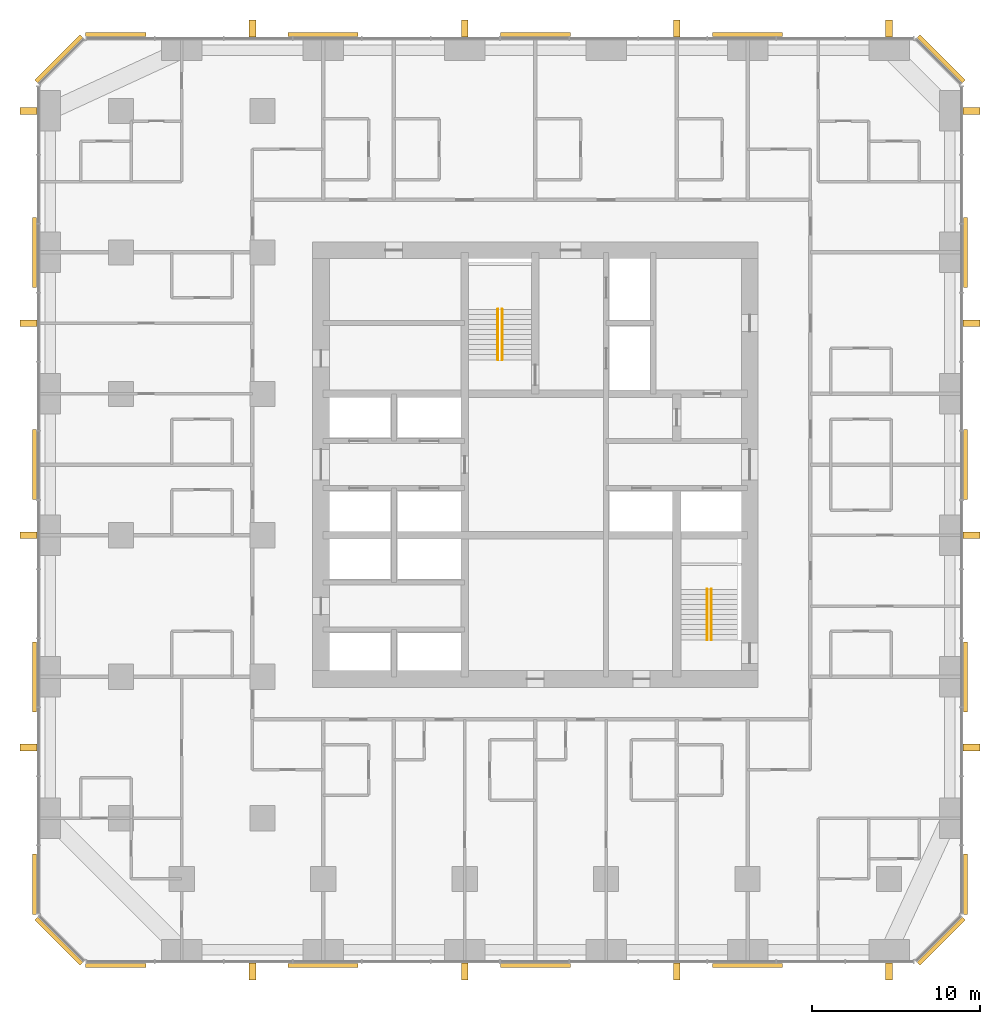
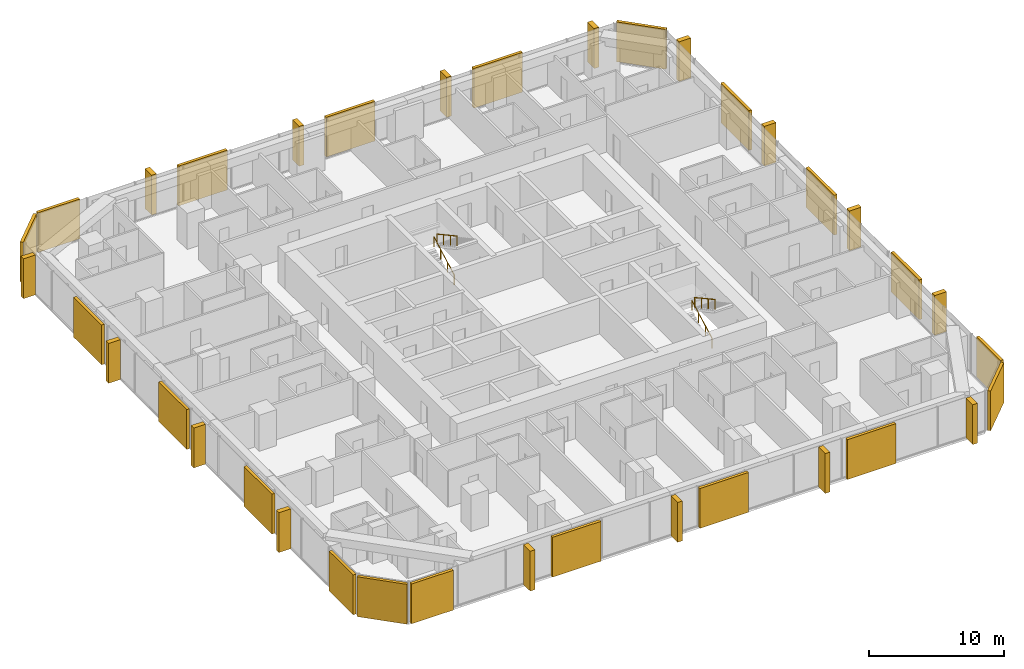
# One storey, part 14 of 14: 20 coverings, 16 shading devices, 4 railings.
"""IFC4 building model written with IfcOpenShell, lengths in metres."""

from ifc_helpers import new_model, si_unit, direction, frame, origin, origin_2d, place, context, subcontext, project, spatial, rectangle, circle, extrude, material, layer, layer_set, type_object, element, save


model = new_model("IFC4")

# Units and contexts
model_context = context("Model", 3, precision=1e-05, world=origin(), true_north=direction((0.0, 1.0)))
body_context = subcontext(model_context, "Body", "Model", "MODEL_VIEW")
ifc_project = project(units=[si_unit("LENGTHUNIT", "METRE"), si_unit("AREAUNIT", "SQUARE_METRE"), si_unit("VOLUMEUNIT", "CUBIC_METRE"), si_unit("PLANEANGLEUNIT", "RADIAN"), si_unit("MASSUNIT", "GRAM", prefix="KILO")], contexts=[model_context])

# Site, building, storey
site_placement = place(None, origin())
site = spatial("IfcSite", under=ifc_project, at=site_placement, CompositionType="ELEMENT")
building_placement = place(site_placement, origin())
building = spatial("IfcBuilding", under=site, at=building_placement, Name="Dunama Terrace Hotel", CompositionType="ELEMENT")
storey_placement = place(building_placement, frame((0.0, 0.0, 133.199951171875)))
storey = spatial("IfcBuildingStorey", under=building, at=storey_placement, Name="L34", CompositionType="ELEMENT", Elevation=133.199951171875)

# Railings
ifc_material_1 = material(Name="Stainless steel handrail", Category="steel")
railing_type = type_object("IfcRailingType", Name="Stair handrail 900", PredefinedType="HANDRAIL", material=ifc_material_1)
railing_1_placement = place(storey_placement, frame((27.175048828125, 35.625, 0.16357421875)))
element("IfcRailing", 1, at=railing_1_placement, inside=storey, type_object=railing_type, Name="Handrail ST1 L34", PredefinedType="HANDRAIL", context=body_context, shape_type="SweptSolid", body=[
    extrude(circle(Radius=0.02392578125, at=origin_2d()), frame((0.0, 0.0, 0.8759765625), z_axis=(0.0, 0.877881921179, 0.478877158013), x_axis=(-1.0, 0.0, 0.0)), (0.0, 0.0, 1.0), 3.417236328125),
    extrude(circle(Radius=0.02099609375, at=origin_2d()), origin(), (0.0, 0.0, 1.0), 0.851806640625),
    extrude(circle(Radius=0.02099609375, at=origin_2d()), frame((0.0, 1.0, 0.54541015625)), (0.0, 0.0, 1.0), 0.851806640625),
    extrude(circle(Radius=0.02099609375, at=origin_2d()), frame((0.0, 2.0, 1.091064453125)), (0.0, 0.0, 1.0), 0.851806640625),
    extrude(circle(Radius=0.02099609375, at=origin_2d()), frame((0.0, 3.0, 1.636474609375)), (0.0, 0.0, 1.0), 0.851806640625),
])
railing_2_placement = place(storey_placement, frame((27.425048828125, 38.625, 1.963623046875)))
element("IfcRailing", 2, at=railing_2_placement, inside=storey, type_object=railing_type, Name="Handrail ST1 L34", PredefinedType="HANDRAIL", context=body_context, shape_type="SweptSolid", body=[
    extrude(circle(Radius=0.02392578125, at=origin_2d()), frame((0.0, 0.0, 0.8759765625), z_axis=(0.0, -0.877881921179, 0.478877158013), x_axis=(1.0, 0.0, 0.0)), (0.0, 0.0, 1.0), 3.417236328125),
    extrude(circle(Radius=0.02099609375, at=origin_2d()), origin(), (0.0, 0.0, 1.0), 0.851806640625),
    extrude(circle(Radius=0.02099609375, at=origin_2d()), frame((0.0, -1.0, 0.54541015625)), (0.0, 0.0, 1.0), 0.851806640625),
    extrude(circle(Radius=0.02099609375, at=origin_2d()), frame((0.0, -2.0, 1.091064453125)), (0.0, 0.0, 1.0), 0.851806640625),
    extrude(circle(Radius=0.02099609375, at=origin_2d()), frame((0.0, -3.0, 1.636474609375)), (0.0, 0.0, 1.0), 0.851806640625),
])
railing_3_placement = place(storey_placement, frame((39.60009765625, 19.0, 0.16357421875)))
element("IfcRailing", 3, at=railing_3_placement, inside=storey, type_object=railing_type, Name="Handrail ST2 L34", PredefinedType="HANDRAIL", context=body_context, shape_type="SweptSolid", body=[
    extrude(circle(Radius=0.02392578125, at=origin_2d()), frame((0.0, 0.0, 0.8759765625), z_axis=(0.0, 0.877881921179, 0.478877158013), x_axis=(-1.0, 0.0, 0.0)), (0.0, 0.0, 1.0), 3.417236328125),
    extrude(circle(Radius=0.02099609375, at=origin_2d()), origin(), (0.0, 0.0, 1.0), 0.851806640625),
    extrude(circle(Radius=0.02099609375, at=origin_2d()), frame((0.0, 1.0, 0.54541015625)), (0.0, 0.0, 1.0), 0.851806640625),
    extrude(circle(Radius=0.02099609375, at=origin_2d()), frame((0.0, 2.0, 1.091064453125)), (0.0, 0.0, 1.0), 0.851806640625),
    extrude(circle(Radius=0.02099609375, at=origin_2d()), frame((0.0, 3.0, 1.636474609375)), (0.0, 0.0, 1.0), 0.851806640625),
])
railing_4_placement = place(storey_placement, frame((39.85009765625, 22.0, 1.963623046875)))
element("IfcRailing", 4, at=railing_4_placement, inside=storey, type_object=railing_type, Name="Handrail ST2 L34", PredefinedType="HANDRAIL", context=body_context, shape_type="SweptSolid", body=[
    extrude(circle(Radius=0.02392578125, at=origin_2d()), frame((0.0, 0.0, 0.8759765625), z_axis=(0.0, -0.877881921179, 0.478877158013), x_axis=(1.0, 0.0, 0.0)), (0.0, 0.0, 1.0), 3.417236328125),
    extrude(circle(Radius=0.02099609375, at=origin_2d()), origin(), (0.0, 0.0, 1.0), 0.851806640625),
    extrude(circle(Radius=0.02099609375, at=origin_2d()), frame((0.0, -1.0, 0.54541015625)), (0.0, 0.0, 1.0), 0.851806640625),
    extrude(circle(Radius=0.02099609375, at=origin_2d()), frame((0.0, -2.0, 1.091064453125)), (0.0, 0.0, 1.0), 0.851806640625),
    extrude(circle(Radius=0.02099609375, at=origin_2d()), frame((0.0, -3.0, 1.636474609375)), (0.0, 0.0, 1.0), 0.851806640625),
])

# Coverings
ifc_material_2 = material(Name="Warm reconstituted stone panel", Category="masonry")
ifc_layer_1 = layer(ifc_material_2, 0.25)
ifc_layer_set_1 = layer_set([ifc_layer_1], Name="Stone diagonal panel")
covering_type = type_object("IfcCoveringType", Name="Stone diagonal panel", PredefinedType="CLADDING", material=ifc_layer_set_1)
covering_1_placement = place(storey_placement, frame((4.489990234375, -0.343017578125, 0.001953125), z_axis=(0.0, 0.0, 1.0), x_axis=(1.0, 0.0, 0.0)))
element("IfcCovering", 5, at=covering_1_placement, inside=storey, type_object=covering_type, Name="Stone diagonal panel L34", PredefinedType="CLADDING", context=body_context, shape_type="SweptSolid", body=[
    extrude(rectangle(XDim=3.570068359375, YDim=0.25, at=origin_2d()), origin(), (0.0, 0.0, 1.0), 3.595947265625),
])
for number, where, z_axis, x_axis, name in (
    (6, (16.800048828125, -0.343017578125, 0.001953125), (0.0, 0.0, 1.0), (1.0, 0.0, 0.0), "Stone diagonal panel L34"),
    (7, (29.39990234375, -0.343017578125, 0.001953125), (0.0, 0.0, 1.0), (1.0, 0.0, 0.0), "Stone diagonal panel L34"),
    (8, (42.0, -0.343017578125, 0.001953125), (0.0, 0.0, 1.0), (1.0, 0.0, 0.0), "Stone diagonal panel L34"),
):
    element("IfcCovering", number, at=place(storey_placement, frame(where, z_axis=z_axis, x_axis=x_axis)), inside=storey, type_object=covering_type, Name=name, PredefinedType="CLADDING", context=body_context, shape_type="SweptSolid", body=[
        extrude(rectangle(XDim=4.14990234375, YDim=0.25, at=origin_2d()), origin(), (0.0, 0.0, 1.0), 3.595947265625),
    ])
covering_2_placement = place(storey_placement, frame((53.492919921875, 1.10693359375, 0.001953125), z_axis=(0.0, 0.0, 1.0), x_axis=(0.707106781187, 0.707106781187, 0.0)))
element("IfcCovering", 9, at=covering_2_placement, inside=storey, type_object=covering_type, Name="Stone diagonal panel L34", PredefinedType="CLADDING", context=body_context, shape_type="SweptSolid", body=[
    extrude(rectangle(XDim=3.808349609375, YDim=0.25, at=origin_2d()), origin(), (0.0, 0.0, 1.0), 3.595947265625),
])
covering_3_placement = place(storey_placement, frame((54.943115234375, 4.489990234375, 0.001953125), z_axis=(0.0, 0.0, 1.0), x_axis=(0.0, 1.0, 0.0)))
element("IfcCovering", 10, at=covering_3_placement, inside=storey, type_object=covering_type, Name="Stone diagonal panel L34", PredefinedType="CLADDING", context=body_context, shape_type="SweptSolid", body=[
    extrude(rectangle(XDim=3.570068359375, YDim=0.25, at=origin_2d()), origin(), (0.0, 0.0, 1.0), 3.595947265625),
])
for number, where, z_axis, x_axis, name in (
    (11, (54.943115234375, 16.800048828125, 0.001953125), (0.0, 0.0, 1.0), (0.0, 1.0, 0.0), "Stone diagonal panel L34"),
    (12, (54.943115234375, 29.39990234375, 0.001953125), (0.0, 0.0, 1.0), (0.0, 1.0, 0.0), "Stone diagonal panel L34"),
    (13, (54.943115234375, 42.0, 0.001953125), (0.0, 0.0, 1.0), (0.0, 1.0, 0.0), "Stone diagonal panel L34"),
):
    element("IfcCovering", number, at=place(storey_placement, frame(where, z_axis=z_axis, x_axis=x_axis)), inside=storey, type_object=covering_type, Name=name, PredefinedType="CLADDING", context=body_context, shape_type="SweptSolid", body=[
        extrude(rectangle(XDim=4.14990234375, YDim=0.25, at=origin_2d()), origin(), (0.0, 0.0, 1.0), 3.595947265625),
    ])
covering_4_placement = place(storey_placement, frame((53.492919921875, 53.492919921875, 0.001953125), z_axis=(0.0, 0.0, 1.0), x_axis=(-0.707106781187, 0.707106781187, 0.0)))
element("IfcCovering", 14, at=covering_4_placement, inside=storey, type_object=covering_type, Name="Stone diagonal panel L34", PredefinedType="CLADDING", context=body_context, shape_type="SweptSolid", body=[
    extrude(rectangle(XDim=3.808349609375, YDim=0.25, at=origin_2d()), origin(), (0.0, 0.0, 1.0), 3.595947265625),
])
for number, where, z_axis, x_axis, name in (
    (15, (42.0, 54.943115234375, 0.001953125), (0.0, 0.0, 1.0), (-1.0, 0.0, 0.0), "Stone diagonal panel L34"),
    (16, (29.39990234375, 54.943115234375, 0.001953125), (0.0, 0.0, 1.0), (-1.0, 0.0, 0.0), "Stone diagonal panel L34"),
    (17, (16.800048828125, 54.943115234375, 0.001953125), (0.0, 0.0, 1.0), (-1.0, 0.0, 0.0), "Stone diagonal panel L34"),
):
    element("IfcCovering", number, at=place(storey_placement, frame(where, z_axis=z_axis, x_axis=x_axis)), inside=storey, type_object=covering_type, Name=name, PredefinedType="CLADDING", context=body_context, shape_type="SweptSolid", body=[
        extrude(rectangle(XDim=4.14990234375, YDim=0.25, at=origin_2d()), origin(), (0.0, 0.0, 1.0), 3.595947265625),
    ])
covering_5_placement = place(storey_placement, frame((4.489990234375, 54.943115234375, 0.001953125), z_axis=(0.0, 0.0, 1.0), x_axis=(-1.0, 0.0, 0.0)))
element("IfcCovering", 18, at=covering_5_placement, inside=storey, type_object=covering_type, Name="Stone diagonal panel L34", PredefinedType="CLADDING", context=body_context, shape_type="SweptSolid", body=[
    extrude(rectangle(XDim=3.570068359375, YDim=0.25, at=origin_2d()), origin(), (0.0, 0.0, 1.0), 3.595947265625),
])
covering_6_placement = place(storey_placement, frame((1.10693359375, 53.492919921875, 0.001953125), z_axis=(0.0, 0.0, 1.0), x_axis=(-0.707106781187, -0.707106781187, 0.0)))
element("IfcCovering", 19, at=covering_6_placement, inside=storey, type_object=covering_type, Name="Stone diagonal panel L34", PredefinedType="CLADDING", context=body_context, shape_type="SweptSolid", body=[
    extrude(rectangle(XDim=3.808349609375, YDim=0.25, at=origin_2d()), origin(), (0.0, 0.0, 1.0), 3.595947265625),
])
for number, where, z_axis, x_axis, name in (
    (20, (-0.343017578125, 42.0, 0.001953125), (0.0, 0.0, 1.0), (0.0, -1.0, 0.0), "Stone diagonal panel L34"),
    (21, (-0.343017578125, 29.39990234375, 0.001953125), (0.0, 0.0, 1.0), (0.0, -1.0, 0.0), "Stone diagonal panel L34"),
    (22, (-0.343017578125, 16.800048828125, 0.001953125), (0.0, 0.0, 1.0), (0.0, -1.0, 0.0), "Stone diagonal panel L34"),
):
    element("IfcCovering", number, at=place(storey_placement, frame(where, z_axis=z_axis, x_axis=x_axis)), inside=storey, type_object=covering_type, Name=name, PredefinedType="CLADDING", context=body_context, shape_type="SweptSolid", body=[
        extrude(rectangle(XDim=4.14990234375, YDim=0.25, at=origin_2d()), origin(), (0.0, 0.0, 1.0), 3.595947265625),
    ])
covering_7_placement = place(storey_placement, frame((-0.343017578125, 4.489990234375, 0.001953125), z_axis=(0.0, 0.0, 1.0), x_axis=(0.0, -1.0, 0.0)))
element("IfcCovering", 23, at=covering_7_placement, inside=storey, type_object=covering_type, Name="Stone diagonal panel L34", PredefinedType="CLADDING", context=body_context, shape_type="SweptSolid", body=[
    extrude(rectangle(XDim=3.570068359375, YDim=0.25, at=origin_2d()), origin(), (0.0, 0.0, 1.0), 3.595947265625),
])
covering_8_placement = place(storey_placement, frame((1.10693359375, 1.10693359375, 0.001953125), z_axis=(0.0, 0.0, 1.0), x_axis=(0.707106781187, -0.707106781187, 0.0)))
element("IfcCovering", 24, at=covering_8_placement, inside=storey, type_object=covering_type, Name="Stone diagonal panel L34", PredefinedType="CLADDING", context=body_context, shape_type="SweptSolid", body=[
    extrude(rectangle(XDim=3.808349609375, YDim=0.25, at=origin_2d()), origin(), (0.0, 0.0, 1.0), 3.595947265625),
])

# Shading devices
ifc_material_3 = material(Name="Warm reconstituted stone fin", Category="masonry")
ifc_layer_2 = layer(ifc_material_3, 0.39990234375)
ifc_layer_set_2 = layer_set([ifc_layer_2], Name="Warm stone fin 400x1000")
shading_device_type = type_object("IfcShadingDeviceType", Name="Warm stone fin 400x1000", PredefinedType="USERDEFINED", material=ifc_layer_set_2)
for number, where, z_axis, x_axis, name in (
    (25, (12.60009765625, -0.697998046875, 0.0), (0.0, 0.0, 1.0), (1.0, 0.0, 0.0), "Stone fin"),
    (26, (25.199951171875, -0.697998046875, 0.0), (0.0, 0.0, 1.0), (1.0, 0.0, 0.0), "Stone fin"),
    (27, (37.800048828125, -0.697998046875, 0.0), (0.0, 0.0, 1.0), (1.0, 0.0, 0.0), "Stone fin"),
    (28, (50.39990234375, -0.697998046875, 0.0), (0.0, 0.0, 1.0), (1.0, 0.0, 0.0), "Stone fin"),
    (29, (55.298095703125, 12.60009765625, 0.0), (0.0, 0.0, 1.0), (0.0, 1.0, 0.0), "Stone fin"),
    (30, (55.298095703125, 25.199951171875, 0.0), (0.0, 0.0, 1.0), (0.0, 1.0, 0.0), "Stone fin"),
    (31, (55.298095703125, 37.800048828125, 0.0), (0.0, 0.0, 1.0), (0.0, 1.0, 0.0), "Stone fin"),
    (32, (55.298095703125, 50.39990234375, 0.0), (0.0, 0.0, 1.0), (0.0, 1.0, 0.0), "Stone fin"),
    (33, (50.39990234375, 55.298095703125, 0.0), (0.0, 0.0, 1.0), (-1.0, 0.0, 0.0), "Stone fin"),
    (34, (37.800048828125, 55.298095703125, 0.0), (0.0, 0.0, 1.0), (-1.0, 0.0, 0.0), "Stone fin"),
    (35, (25.199951171875, 55.298095703125, 0.0), (0.0, 0.0, 1.0), (-1.0, 0.0, 0.0), "Stone fin"),
    (36, (12.60009765625, 55.298095703125, 0.0), (0.0, 0.0, 1.0), (-1.0, 0.0, 0.0), "Stone fin"),
    (37, (-0.697998046875, 50.39990234375, 0.0), (0.0, 0.0, 1.0), (0.0, -1.0, 0.0), "Stone fin"),
    (38, (-0.697998046875, 37.800048828125, 0.0), (0.0, 0.0, 1.0), (0.0, -1.0, 0.0), "Stone fin"),
    (39, (-0.697998046875, 25.199951171875, 0.0), (0.0, 0.0, 1.0), (0.0, -1.0, 0.0), "Stone fin"),
    (40, (-0.697998046875, 12.60009765625, 0.0), (0.0, 0.0, 1.0), (0.0, -1.0, 0.0), "Stone fin"),
):
    element("IfcShadingDevice", number, at=place(storey_placement, frame(where, z_axis=z_axis, x_axis=x_axis)), inside=storey, type_object=shading_device_type, Name=name, ObjectType="FIN", PredefinedType="USERDEFINED", context=body_context, shape_type="SweptSolid", body=[
        extrude(rectangle(XDim=0.39990234375, YDim=1.0, at=origin_2d()), origin(), (0.0, 0.0, 1.0), 3.60009765625),
    ])

save(model, "model.ifc")
